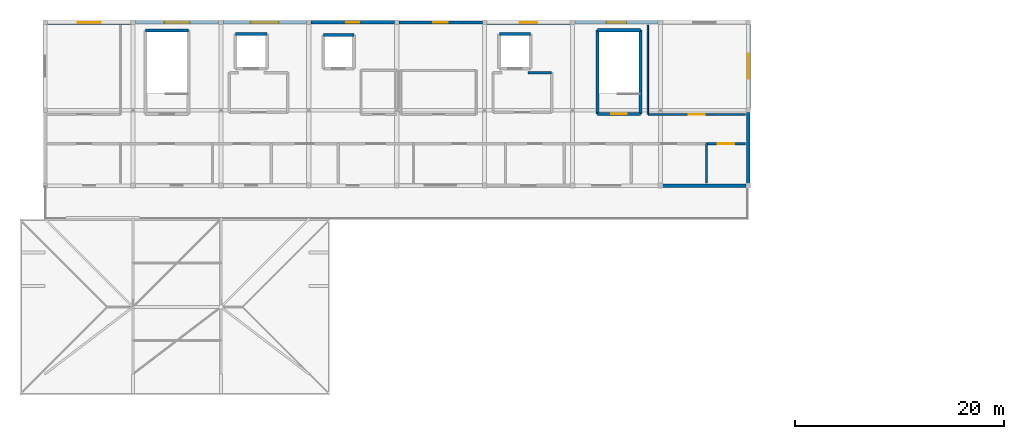
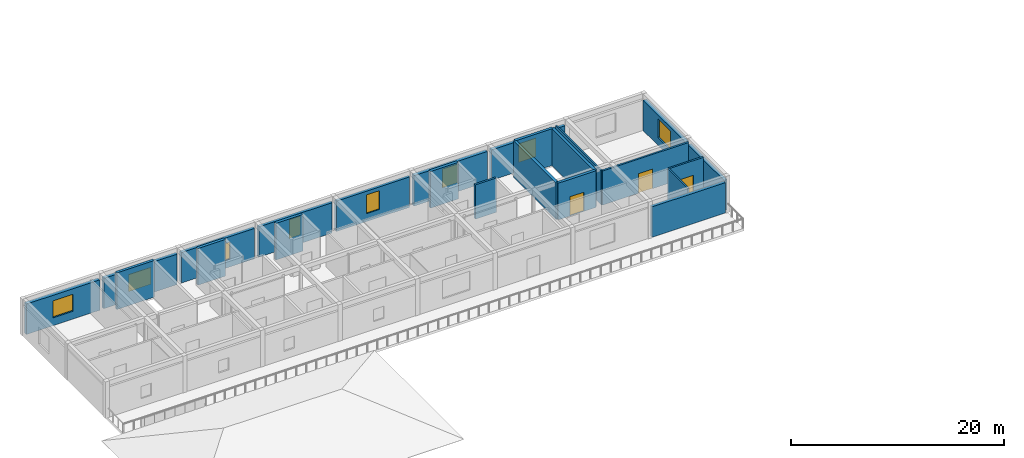
# One storey, part 16 of 22: 23 walls, 8 windows, 3 doors, 11 openings.
"""IFC4 building model written with IfcOpenShell, lengths in metres."""

from ifc_helpers import new_model, si_unit, direction, frame, frame_2d, origin, place, context, subcontext, project, spatial, rectangle, extrude, material, layer, layer_set, type_object, element, fill, save


model = new_model("IFC4")

# Units and contexts
model_context = context("Model", 3, precision=1e-05, world=origin(), true_north=direction((0.0, 1.0)))
body_context = subcontext(model_context, "Body", "Model", "MODEL_VIEW")
ifc_project = project(units=[si_unit("LENGTHUNIT", "METRE"), si_unit("AREAUNIT", "SQUARE_METRE"), si_unit("VOLUMEUNIT", "CUBIC_METRE"), si_unit("PLANEANGLEUNIT", "RADIAN"), si_unit("MASSUNIT", "GRAM", prefix="KILO")], contexts=[model_context])

# Site, building, storey
site_placement = place(None, origin())
site = spatial("IfcSite", under=ifc_project, at=site_placement, CompositionType="ELEMENT")
building_placement = place(site_placement, origin())
building = spatial("IfcBuilding", under=site, at=building_placement, Name="Varncliffe General Hospital", CompositionType="ELEMENT")
storey_placement = place(building_placement, frame((0.0, 0.0, 33.0)))
storey = spatial("IfcBuildingStorey", under=building, at=storey_placement, Name="L07", CompositionType="ELEMENT", Elevation=33.0)

# Wall, opening, window
ifc_material_1 = material(Name="Precast concrete C40/50 with insulated cream lime-cement stucco", Category="concrete")
ifc_layer_1 = layer(ifc_material_1, 0.31005859375)
ifc_layer_set_1 = layer_set([ifc_layer_1], Name="Precast concrete C40/50 with insulated cream lime-cement stucco")
wall_type_1 = type_object("IfcWallType", Name="Exterior Insulated Stucco Wall EW20 (310mm)", PredefinedType="SOLIDWALL", material=ifc_layer_set_1)
wall_1_placement = place(storey_placement, frame((25.423095703125, 124.800048828125, 0.0), z_axis=(0.0, 0.0, 1.0), x_axis=(1.0, 0.0, 0.0)))
wall_1 = element("IfcWall", 1, at=wall_1_placement, inside=storey, type_object=wall_type_1, Name="L07 Exterior Stucco Wall EW20-542", PredefinedType="SOLIDWALL", context=body_context, shape_type="SweptSolid", body=[
    extrude(rectangle(XDim=7.953857421875, YDim=0.31005859375, at=frame_2d((3.97705078125, 0.0))), origin(), (0.0, 0.0, 1.0), 3.47998046875),
])
opening_1_placement = place(wall_1_placement, frame((3.376953125, 0.0, 0.89990234375)))
opening_1 = element("IfcOpeningElement", 2, at=opening_1_placement, cuts=wall_1, Name="Opening WN36", PredefinedType="OPENING", context=body_context, shape_type="SweptSolid", body=[
    extrude(rectangle(XDim=1.199951171875, YDim=2.14990234375, at=frame_2d((0.60009765625, 1.074951171875))), frame((0.0, 0.1650390625, 0.0), z_axis=(0.0, -1.0, 0.0), x_axis=(1.0, 0.0, 0.0)), (0.0, 0.0, 1.0), 0.330078125),
])
ifc_material_2 = material(Name="Triple low-E argon insulated vision glazing", Category="glass")
window_type_1 = type_object("IfcWindowType", Name="Triple-Glazed Hospital Window WN36 (1200x2150)", PartitioningType="SINGLE_PANEL", PredefinedType="WINDOW", material=ifc_material_2)
window_1_placement = place(opening_1_placement, origin())
window_1 = element("IfcWindow", 3, at=window_1_placement, inside=storey, type_object=window_type_1, Name="L07 Hospital Window WN36-429", OverallHeight=2.14990234375, OverallWidth=1.199951171875, PartitioningType="SINGLE_PANEL", PredefinedType="WINDOW", context=body_context, shape_type="SweptSolid", body=[
    extrude(rectangle(XDim=1.199951171875, YDim=2.14990234375, at=frame_2d((0.60009765625, 1.074951171875))), frame((0.0, 0.030029296875, 0.0), z_axis=(0.0, -1.0, 0.0), x_axis=(1.0, 0.0, 0.0)), (0.0, 0.0, 1.0), 0.06005859375),
])
fill(opening_1, window_1)

ifc_layer_2 = layer(ifc_material_1, 0.3798828125)
ifc_layer_set_2 = layer_set([ifc_layer_2], Name="Precast concrete C40/50 with insulated cream lime-cement stucco")
wall_type_2 = type_object("IfcWallType", Name="Exterior Insulated Stucco Wall EW26 (380mm)", PredefinedType="SOLIDWALL", material=ifc_layer_set_2)
wall_2_placement = place(storey_placement, frame((0.222900390625, 124.800048828125, 0.0), z_axis=(0.0, 0.0, 1.0), x_axis=(1.0, 0.0, 0.0)))
wall_2 = element("IfcWall", 4, at=wall_2_placement, inside=storey, type_object=wall_type_2, Name="L07 Exterior Stucco Wall EW26-539", PredefinedType="SOLIDWALL", context=body_context, shape_type="SweptSolid", body=[
    extrude(rectangle(XDim=7.9541015625, YDim=0.3798828125, at=frame_2d((3.97705078125, 0.0))), origin(), (0.0, 0.0, 1.0), 3.47998046875),
])
opening_2_placement = place(wall_2_placement, frame((2.876953125, 0.0, 0.89990234375)))
opening_2 = element("IfcOpeningElement", 5, at=opening_2_placement, cuts=wall_2, Name="Opening WN35", PredefinedType="OPENING", context=body_context, shape_type="SweptSolid", body=[
    extrude(rectangle(XDim=2.199951171875, YDim=1.949951171875, at=frame_2d((1.10009765625, 0.97509765625))), frame((0.0, 0.199951171875, 0.0), z_axis=(0.0, -1.0, 0.0), x_axis=(1.0, 0.0, 0.0)), (0.0, 0.0, 1.0), 0.39990234375),
])
window_type_2 = type_object("IfcWindowType", Name="Triple-Glazed Hospital Window WN35 (2200x1950)", PartitioningType="DOUBLE_PANEL_VERTICAL", PredefinedType="WINDOW", material=ifc_material_2)
window_2_placement = place(opening_2_placement, origin())
window_2 = element("IfcWindow", 6, at=window_2_placement, inside=storey, type_object=window_type_2, Name="L07 Hospital Window WN35-426", OverallHeight=1.949951171875, OverallWidth=2.199951171875, PartitioningType="DOUBLE_PANEL_VERTICAL", PredefinedType="WINDOW", context=body_context, shape_type="SweptSolid", body=[
    extrude(rectangle(XDim=2.199951171875, YDim=1.949951171875, at=frame_2d((1.10009765625, 0.97509765625))), frame((0.0, 0.030029296875, 0.0), z_axis=(0.0, -1.0, 0.0), x_axis=(1.0, 0.0, 0.0)), (0.0, 0.0, 1.0), 0.06005859375),
])
fill(opening_2, window_2)

wall_3_placement = place(storey_placement, frame((42.222900390625, 124.800048828125, 0.0), z_axis=(0.0, 0.0, 1.0), x_axis=(1.0, 0.0, 0.0)))
wall_3 = element("IfcWall", 7, at=wall_3_placement, inside=storey, type_object=wall_type_2, Name="L07 Exterior Stucco Wall EW26-544", PredefinedType="SOLIDWALL", context=body_context, shape_type="SweptSolid", body=[
    extrude(rectangle(XDim=7.9541015625, YDim=0.3798828125, at=frame_2d((3.97705078125, 0.0))), origin(), (0.0, 0.0, 1.0), 3.47998046875),
])
opening_3_placement = place(wall_3_placement, frame((3.152099609375, 0.0, 0.89990234375)))
opening_3 = element("IfcOpeningElement", 8, at=opening_3_placement, cuts=wall_3, Name="Opening WN42", PredefinedType="OPENING", context=body_context, shape_type="SweptSolid", body=[
    extrude(rectangle(XDim=1.64990234375, YDim=2.14990234375, at=frame_2d((0.824951171875, 1.074951171875))), frame((0.0, 0.199951171875, 0.0), z_axis=(0.0, -1.0, 0.0), x_axis=(1.0, 0.0, 0.0)), (0.0, 0.0, 1.0), 0.39990234375),
])
window_type_3 = type_object("IfcWindowType", Name="Triple-Glazed Hospital Window WN42 (1650x2150)", PartitioningType="DOUBLE_PANEL_VERTICAL", PredefinedType="WINDOW", material=ifc_material_2)
window_3_placement = place(opening_3_placement, origin())
window_3 = element("IfcWindow", 9, at=window_3_placement, inside=storey, type_object=window_type_3, Name="L07 Hospital Window WN42-431", OverallHeight=2.14990234375, OverallWidth=1.64990234375, PartitioningType="DOUBLE_PANEL_VERTICAL", PredefinedType="WINDOW", context=body_context, shape_type="SweptSolid", body=[
    extrude(rectangle(XDim=1.64990234375, YDim=2.14990234375, at=frame_2d((0.824951171875, 1.074951171875))), frame((0.0, 0.030029296875, 0.0), z_axis=(0.0, -1.0, 0.0), x_axis=(1.0, 0.0, 0.0)), (0.0, 0.0, 1.0), 0.06005859375),
])
fill(opening_3, window_3)

wall_4_placement = place(storey_placement, frame((67.199951171875, 124.576904296875, 0.0), z_axis=(0.0, 0.0, 1.0), x_axis=(0.0, -1.0, 0.0)))
wall_4 = element("IfcWall", 10, at=wall_4_placement, inside=storey, type_object=wall_type_2, Name="L07 Exterior Stucco Wall EW26-547", PredefinedType="SOLIDWALL", context=body_context, shape_type="SweptSolid", body=[
    extrude(rectangle(XDim=7.953857421875, YDim=0.3798828125, at=frame_2d((3.97705078125, 0.0))), origin(), (0.0, 0.0, 1.0), 3.47998046875),
])
opening_4_placement = place(wall_4_placement, frame((2.777099609375, 0.0, 0.89990234375)))
opening_4 = element("IfcOpeningElement", 11, at=opening_4_placement, cuts=wall_4, Name="Opening WN61", PredefinedType="OPENING", context=body_context, shape_type="SweptSolid", body=[
    extrude(rectangle(XDim=2.39990234375, YDim=2.14990234375, at=frame_2d((1.199951171875, 1.074951171875))), frame((0.0, 0.199951171875, 0.0), z_axis=(0.0, -1.0, 0.0), x_axis=(1.0, 0.0, 0.0)), (0.0, 0.0, 1.0), 0.39990234375),
])
window_type_4 = type_object("IfcWindowType", Name="Triple-Glazed Hospital Window WN61 (2400x2150)", PartitioningType="DOUBLE_PANEL_VERTICAL", PredefinedType="WINDOW", material=ifc_material_2)
window_4_placement = place(opening_4_placement, origin())
window_4 = element("IfcWindow", 12, at=window_4_placement, inside=storey, type_object=window_type_4, Name="L07 Hospital Window WN61-434", OverallHeight=2.14990234375, OverallWidth=2.39990234375, PartitioningType="DOUBLE_PANEL_VERTICAL", PredefinedType="WINDOW", context=body_context, shape_type="SweptSolid", body=[
    extrude(rectangle(XDim=2.39990234375, YDim=2.14990234375, at=frame_2d((1.199951171875, 1.074951171875))), frame((0.0, 0.030029296875, 0.0), z_axis=(0.0, -1.0, 0.0), x_axis=(1.0, 0.0, 0.0)), (0.0, 0.0, 1.0), 0.06005859375),
])
fill(opening_4, window_4)

ifc_layer_3 = layer(ifc_material_1, 0.2900390625)
ifc_layer_set_3 = layer_set([ifc_layer_3], Name="Precast concrete C40/50 with insulated cream lime-cement stucco")
wall_type_3 = type_object("IfcWallType", Name="Exterior Insulated Stucco Wall EW31 (290mm)", PredefinedType="SOLIDWALL", material=ifc_layer_set_3)
wall_5_placement = place(storey_placement, frame((33.822998046875, 124.800048828125, 0.0), z_axis=(0.0, 0.0, 1.0), x_axis=(1.0, 0.0, 0.0)))
wall_5 = element("IfcWall", 13, at=wall_5_placement, inside=storey, type_object=wall_type_3, Name="L07 Exterior Stucco Wall EW31-543", PredefinedType="SOLIDWALL", context=body_context, shape_type="SweptSolid", body=[
    extrude(rectangle(XDim=7.9541015625, YDim=0.2900390625, at=frame_2d((3.97705078125, 0.0))), origin(), (0.0, 0.0, 1.0), 3.47998046875),
])
opening_5_placement = place(wall_5_placement, frame((3.277099609375, 0.0, 0.89990234375)))
opening_5 = element("IfcOpeningElement", 14, at=opening_5_placement, cuts=wall_5, Name="Opening WN11", PredefinedType="OPENING", context=body_context, shape_type="SweptSolid", body=[
    extrude(rectangle(XDim=1.39990234375, YDim=2.14990234375, at=frame_2d((0.699951171875, 1.074951171875))), frame((0.0, 0.155029296875, 0.0), z_axis=(0.0, -1.0, 0.0), x_axis=(1.0, 0.0, 0.0)), (0.0, 0.0, 1.0), 0.31005859375),
])
window_type_5 = type_object("IfcWindowType", Name="Triple-Glazed Hospital Window WN11 (1400x2150)", PartitioningType="SINGLE_PANEL", PredefinedType="WINDOW", material=ifc_material_2)
window_5_placement = place(opening_5_placement, origin())
window_5 = element("IfcWindow", 15, at=window_5_placement, inside=storey, type_object=window_type_5, Name="L07 Hospital Window WN11-430", OverallHeight=2.14990234375, OverallWidth=1.39990234375, PartitioningType="SINGLE_PANEL", PredefinedType="WINDOW", context=body_context, shape_type="SweptSolid", body=[
    extrude(rectangle(XDim=1.39990234375, YDim=2.14990234375, at=frame_2d((0.699951171875, 1.074951171875))), frame((0.0, 0.030029296875, 0.0), z_axis=(0.0, -1.0, 0.0), x_axis=(1.0, 0.0, 0.0)), (0.0, 0.0, 1.0), 0.06005859375),
])
fill(opening_5, window_5)

ifc_layer_4 = layer(ifc_material_1, 0.330078125)
ifc_layer_set_4 = layer_set([ifc_layer_4], Name="Precast concrete C40/50 with insulated cream lime-cement stucco")
wall_type_4 = type_object("IfcWallType", Name="Exterior Insulated Stucco Wall EW33 (330mm)", PredefinedType="SOLIDWALL", material=ifc_layer_set_4)
wall_6_placement = place(storey_placement, frame((17.02294921875, 124.800048828125, 0.0), z_axis=(0.0, 0.0, 1.0), x_axis=(1.0, 0.0, 0.0)))
wall_6 = element("IfcWall", 16, at=wall_6_placement, inside=storey, type_object=wall_type_4, Name="L07 Exterior Stucco Wall EW33-541", PredefinedType="SOLIDWALL", context=body_context, shape_type="SweptSolid", body=[
    extrude(rectangle(XDim=7.9541015625, YDim=0.330078125, at=frame_2d((3.97705078125, 0.0))), origin(), (0.0, 0.0, 1.0), 3.47998046875),
])
opening_6_placement = place(wall_6_placement, frame((2.652099609375, 0.0, 0.89990234375)))
opening_6 = element("IfcOpeningElement", 17, at=opening_6_placement, cuts=wall_6, Name="Opening WN30", PredefinedType="OPENING", context=body_context, shape_type="SweptSolid", body=[
    extrude(rectangle(XDim=2.64990234375, YDim=1.949951171875, at=frame_2d((1.324951171875, 0.97509765625))), frame((0.0, 0.175048828125, 0.0), z_axis=(0.0, -1.0, 0.0), x_axis=(1.0, 0.0, 0.0)), (0.0, 0.0, 1.0), 0.35009765625),
])
window_type_6 = type_object("IfcWindowType", Name="Triple-Glazed Hospital Window WN30 (2650x1950)", PartitioningType="DOUBLE_PANEL_VERTICAL", PredefinedType="WINDOW", material=ifc_material_2)
window_6_placement = place(opening_6_placement, origin())
window_6 = element("IfcWindow", 18, at=window_6_placement, inside=storey, type_object=window_type_6, Name="L07 Hospital Window WN30-428", OverallHeight=1.949951171875, OverallWidth=2.64990234375, PartitioningType="DOUBLE_PANEL_VERTICAL", PredefinedType="WINDOW", context=body_context, shape_type="SweptSolid", body=[
    extrude(rectangle(XDim=2.64990234375, YDim=1.949951171875, at=frame_2d((1.324951171875, 0.97509765625))), frame((0.0, 0.030029296875, 0.0), z_axis=(0.0, -1.0, 0.0), x_axis=(1.0, 0.0, 0.0)), (0.0, 0.0, 1.0), 0.06005859375),
])
fill(opening_6, window_6)

# Wall
wall_7_placement = place(storey_placement, frame((66.97705078125, 109.199951171875, 0.0), z_axis=(0.0, 0.0, 1.0), x_axis=(-1.0, 0.0, 0.0)))
element("IfcWall", 19, at=wall_7_placement, inside=storey, type_object=wall_type_4, Name="L07 Exterior Stucco Wall EW33-549", PredefinedType="SOLIDWALL", context=body_context, shape_type="SweptSolid", body=[
    extrude(rectangle(XDim=7.9541015625, YDim=0.330078125, at=frame_2d((3.97705078125, 0.0))), origin(), (0.0, 0.0, 1.0), 3.47998046875),
])

# Wall, opening, window
ifc_layer_5 = layer(ifc_material_1, 0.35009765625)
ifc_layer_set_5 = layer_set([ifc_layer_5], Name="Precast concrete C40/50 with insulated cream lime-cement stucco")
wall_type_5 = type_object("IfcWallType", Name="Exterior Insulated Stucco Wall EW37 (350mm)", PredefinedType="SOLIDWALL", material=ifc_layer_set_5)
wall_8_placement = place(storey_placement, frame((8.623046875, 124.800048828125, 0.0), z_axis=(0.0, 0.0, 1.0), x_axis=(1.0, 0.0, 0.0)))
wall_8 = element("IfcWall", 20, at=wall_8_placement, inside=storey, type_object=wall_type_5, Name="L07 Exterior Stucco Wall EW37-540", PredefinedType="SOLIDWALL", context=body_context, shape_type="SweptSolid", body=[
    extrude(rectangle(XDim=7.953857421875, YDim=0.35009765625, at=frame_2d((3.97705078125, 0.0))), origin(), (0.0, 0.0, 1.0), 3.47998046875),
])
opening_7_placement = place(wall_8_placement, frame((2.777099609375, 0.0, 0.89990234375)))
opening_7 = element("IfcOpeningElement", 21, at=opening_7_placement, cuts=wall_8, Name="Opening WN16", PredefinedType="OPENING", context=body_context, shape_type="SweptSolid", body=[
    extrude(rectangle(XDim=2.39990234375, YDim=1.949951171875, at=frame_2d((1.199951171875, 0.97509765625))), frame((0.0, 0.18505859375, 0.0), z_axis=(0.0, -1.0, 0.0), x_axis=(1.0, 0.0, 0.0)), (0.0, 0.0, 1.0), 0.3701171875),
])
window_type_7 = type_object("IfcWindowType", Name="Triple-Glazed Hospital Window WN16 (2400x1950)", PartitioningType="DOUBLE_PANEL_VERTICAL", PredefinedType="WINDOW", material=ifc_material_2)
window_7_placement = place(opening_7_placement, origin())
window_7 = element("IfcWindow", 22, at=window_7_placement, inside=storey, type_object=window_type_7, Name="L07 Hospital Window WN16-427", OverallHeight=1.949951171875, OverallWidth=2.39990234375, PartitioningType="DOUBLE_PANEL_VERTICAL", PredefinedType="WINDOW", context=body_context, shape_type="SweptSolid", body=[
    extrude(rectangle(XDim=2.39990234375, YDim=1.949951171875, at=frame_2d((1.199951171875, 0.97509765625))), frame((0.0, 0.030029296875, 0.0), z_axis=(0.0, -1.0, 0.0), x_axis=(1.0, 0.0, 0.0)), (0.0, 0.0, 1.0), 0.06005859375),
])
fill(opening_7, window_7)

wall_9_placement = place(storey_placement, frame((50.623046875, 124.800048828125, 0.0), z_axis=(0.0, 0.0, 1.0), x_axis=(1.0, 0.0, 0.0)))
wall_9 = element("IfcWall", 23, at=wall_9_placement, inside=storey, type_object=wall_type_5, Name="L07 Exterior Stucco Wall EW37-545", PredefinedType="SOLIDWALL", context=body_context, shape_type="SweptSolid", body=[
    extrude(rectangle(XDim=7.953857421875, YDim=0.35009765625, at=frame_2d((3.97705078125, 0.0))), origin(), (0.0, 0.0, 1.0), 3.47998046875),
])
opening_8_placement = place(wall_9_placement, frame((3.027099609375, 0.0, 0.89990234375)))
opening_8 = element("IfcOpeningElement", 24, at=opening_8_placement, cuts=wall_9, Name="Opening WN15", PredefinedType="OPENING", context=body_context, shape_type="SweptSolid", body=[
    extrude(rectangle(XDim=1.89990234375, YDim=2.14990234375, at=frame_2d((0.949951171875, 1.074951171875))), frame((0.0, 0.18505859375, 0.0), z_axis=(0.0, -1.0, 0.0), x_axis=(1.0, 0.0, 0.0)), (0.0, 0.0, 1.0), 0.3701171875),
])
window_type_8 = type_object("IfcWindowType", Name="Triple-Glazed Hospital Window WN15 (1900x2150)", PartitioningType="DOUBLE_PANEL_VERTICAL", PredefinedType="WINDOW", material=ifc_material_2)
window_8_placement = place(opening_8_placement, origin())
window_8 = element("IfcWindow", 25, at=window_8_placement, inside=storey, type_object=window_type_8, Name="L07 Hospital Window WN15-432", OverallHeight=2.14990234375, OverallWidth=1.89990234375, PartitioningType="DOUBLE_PANEL_VERTICAL", PredefinedType="WINDOW", context=body_context, shape_type="SweptSolid", body=[
    extrude(rectangle(XDim=1.89990234375, YDim=2.14990234375, at=frame_2d((0.949951171875, 1.074951171875))), frame((0.0, 0.030029296875, 0.0), z_axis=(0.0, -1.0, 0.0), x_axis=(1.0, 0.0, 0.0)), (0.0, 0.0, 1.0), 0.06005859375),
])
fill(opening_8, window_8)

# Walls
wall_10_placement = place(storey_placement, frame((67.199951171875, 116.177001953125, 0.0), z_axis=(0.0, 0.0, 1.0), x_axis=(0.0, -1.0, 0.0)))
element("IfcWall", 26, at=wall_10_placement, inside=storey, type_object=wall_type_5, Name="L07 Exterior Stucco Wall EW37-548", PredefinedType="SOLIDWALL", context=body_context, shape_type="SweptSolid", body=[
    extrude(rectangle(XDim=6.75390625, YDim=0.35009765625, at=frame_2d((3.376953125, 0.0))), origin(), (0.0, 0.0, 1.0), 3.47998046875),
])
ifc_material_3 = material(Name="Acoustic clinical gypsum stud partition assembly", Category="gypsum")
ifc_layer_6 = layer(ifc_material_3, 0.169921875)
ifc_layer_set_6 = layer_set([ifc_layer_6], Name="Acoustic clinical gypsum stud partition assembly")
wall_type_6 = type_object("IfcWallType", Name="Interior Partitioning IW20 (170mm)", PredefinedType="PARTITIONING", material=ifc_layer_set_6)
wall_11_placement = place(storey_placement, frame((63.199951171875, 109.4599609375, 0.0), z_axis=(0.0, 0.0, 1.0), x_axis=(0.0, 1.0, 0.0)))
element("IfcWall", 27, at=wall_11_placement, inside=storey, type_object=wall_type_6, Name="L07 Interior Partition Wall IW20-2390", PredefinedType="PARTITIONING", context=body_context, shape_type="SweptSolid", body=[
    extrude(rectangle(XDim=3.739990234375, YDim=0.169921875, at=frame_2d((1.8701171875, 0.0))), origin(), (0.0, 0.0, 1.0), 3.919921875),
])
ifc_layer_7 = layer(ifc_material_3, 0.14990234375)
ifc_layer_set_7 = layer_set([ifc_layer_7], Name="Acoustic clinical gypsum stud partition assembly")
wall_type_7 = type_object("IfcWallType", Name="Interior Partitioning IW35 (150mm)", PredefinedType="PARTITIONING", material=ifc_layer_set_7)
wall_12_placement = place(storey_placement, frame((57.60009765625, 116.0, 0.0), z_axis=(0.0, 0.0, 1.0), x_axis=(0.0, 1.0, 0.0)))
element("IfcWall", 28, at=wall_12_placement, inside=storey, type_object=wall_type_7, Name="L07 Interior Partition Wall IW35-2389", PredefinedType="PARTITIONING", context=body_context, shape_type="SweptSolid", body=[
    extrude(rectangle(XDim=8.5400390625, YDim=0.14990234375, at=frame_2d((4.27001953125, 0.0))), origin(), (0.0, 0.0, 1.0), 3.919921875),
])
ifc_material_4 = material(Name="Fire-rated gypsum and mineral-wool partition assembly", Category="gypsum")
ifc_layer_8 = layer(ifc_material_4, 0.22998046875)
ifc_layer_set_8 = layer_set([ifc_layer_8], Name="Fire-rated gypsum and mineral-wool partition assembly")
wall_type_8 = type_object("IfcWallType", Name="Interior Partitioning PW48 (230mm)", PredefinedType="PARTITIONING", material=ifc_layer_set_8)
wall_13_placement = place(storey_placement, frame((46.135986328125, 120.0, 0.0), z_axis=(0.0, 0.0, 1.0), x_axis=(1.0, 0.0, 0.0)))
element("IfcWall", 29, at=wall_13_placement, inside=storey, type_object=wall_type_8, Name="L07 Interior Partition Wall PW48-2364", PredefinedType="PARTITIONING", context=body_context, shape_type="SweptSolid", body=[
    extrude(rectangle(XDim=2.263916015625, YDim=0.22998046875, at=frame_2d((1.1318359375, 0.0))), origin(), (0.0, 0.0, 1.0), 3.919921875),
])

# Wall, opening, door
ifc_layer_9 = layer(ifc_material_4, 0.199951171875)
ifc_layer_set_9 = layer_set([ifc_layer_9], Name="Fire-rated gypsum and mineral-wool partition assembly")
wall_type_9 = type_object("IfcWallType", Name="Interior Partitioning PW63 (200mm)", PredefinedType="PARTITIONING", material=ifc_layer_set_9)
wall_14_placement = place(storey_placement, frame((63.199951171875, 113.199951171875, 0.0), z_axis=(0.0, 0.0, 1.0), x_axis=(1.0, 0.0, 0.0)))
wall_14 = element("IfcWall", 30, at=wall_14_placement, inside=storey, type_object=wall_type_9, Name="L07 Interior Partition Wall PW63-2338", PredefinedType="PARTITIONING", context=body_context, shape_type="SweptSolid", body=[
    extrude(rectangle(XDim=3.739990234375, YDim=0.199951171875, at=frame_2d((1.8701171875, 0.0))), origin(), (0.0, 0.0, 1.0), 3.919921875),
])
opening_9_placement = place(wall_14_placement, frame((1.094970703125, 0.0, 0.0)))
opening_9 = element("IfcOpeningElement", 31, at=opening_9_placement, cuts=wall_14, Name="Opening DC67", PredefinedType="OPENING", context=body_context, shape_type="SweptSolid", body=[
    extrude(rectangle(XDim=1.550048828125, YDim=2.25, at=frame_2d((0.77490234375, 1.125))), frame((0.0, 0.10986328125, 0.0), z_axis=(0.0, -1.0, 0.0), x_axis=(1.0, 0.0, 0.0)), (0.0, 0.0, 1.0), 0.219970703125),
])
ifc_material_5 = material(Name="Fire-rated hospital steel-frame vision-panel door", Category="steel")
door_type_1 = type_object("IfcDoorType", Name="Interior Hospital Door DC67 (1550x2250)", OperationType="NOTDEFINED", PredefinedType="DOOR", material=ifc_material_5)
door_1_placement = place(opening_9_placement, frame((1.550048828125, 0.0, 0.0), z_axis=(0.0, 0.0, 1.0), x_axis=(-1.0, 0.0, 0.0)))
door_1 = element("IfcDoor", 32, at=door_1_placement, inside=storey, type_object=door_type_1, Name="L07 Patient Healing Solarium 26 Door", OperationType="SINGLE_SWING_RIGHT", OverallHeight=2.25, OverallWidth=1.550048828125, PredefinedType="DOOR", context=body_context, shape_type="SweptSolid", body=[
    extrude(rectangle(XDim=1.550048828125, YDim=2.25, at=frame_2d((0.77490234375, 1.125))), frame((0.0, 0.02490234375, 0.0), z_axis=(0.0, -1.0, 0.0), x_axis=(1.0, 0.0, 0.0)), (0.0, 0.0, 1.0), 0.050048828125),
])
fill(opening_9, door_1)

wall_15_placement = place(storey_placement, frame((57.60009765625, 116.0, 0.0), z_axis=(0.0, 0.0, 1.0), x_axis=(1.0, 0.0, 0.0)))
wall_15 = element("IfcWall", 33, at=wall_15_placement, inside=storey, type_object=wall_type_9, Name="L07 Interior Partition Wall PW63-2352", PredefinedType="PARTITIONING", context=body_context, shape_type="SweptSolid", body=[
    extrude(rectangle(XDim=9.33984375, YDim=0.199951171875, at=frame_2d((4.669921875, 0.0))), origin(), (0.0, 0.0, 1.0), 3.919921875),
])
opening_10_placement = place(wall_15_placement, frame((3.89501953125, 0.0, 0.0)))
opening_10 = element("IfcOpeningElement", 34, at=opening_10_placement, cuts=wall_15, Name="Opening DC67", PredefinedType="OPENING", context=body_context, shape_type="SweptSolid", body=[
    extrude(rectangle(XDim=1.550048828125, YDim=2.25, at=frame_2d((0.77490234375, 1.125))), frame((0.0, 0.10986328125, 0.0), z_axis=(0.0, -1.0, 0.0), x_axis=(1.0, 0.0, 0.0)), (0.0, 0.0, 1.0), 0.219970703125),
])
door_2_placement = place(opening_10_placement, origin())
door_2 = element("IfcDoor", 35, at=door_2_placement, inside=storey, type_object=door_type_1, Name="L07 Patient Healing Solarium 38 Door", OperationType="SINGLE_SWING_RIGHT", OverallHeight=2.25, OverallWidth=1.550048828125, PredefinedType="DOOR", context=body_context, shape_type="SweptSolid", body=[
    extrude(rectangle(XDim=1.550048828125, YDim=2.25, at=frame_2d((0.77490234375, 1.125))), frame((0.0, 0.02490234375, 0.0), z_axis=(0.0, -1.0, 0.0), x_axis=(1.0, 0.0, 0.0)), (0.0, 0.0, 1.0), 0.050048828125),
])
fill(opening_10, door_2)

# Walls
ifc_material_6 = material(Name="Concrete C40/50 (CSA A23.1 40 MPa)", Category="concrete")
ifc_layer_10 = layer(ifc_material_6, 0.300048828125)
ifc_layer_set_10 = layer_set([ifc_layer_10], Name="Concrete C40/50 (CSA A23.1 40 MPa)")
wall_type_10 = type_object("IfcWallType", Name="Reinforced Concrete Core Shear Wall CW12 (300mm)", PredefinedType="SHEAR", material=ifc_layer_set_10)
wall_16_placement = place(storey_placement, frame((56.89990234375, 116.050048828125, 0.0), z_axis=(0.0, 0.0, 1.0), x_axis=(0.0, 1.0, 0.0)))
element("IfcWall", 36, at=wall_16_placement, inside=storey, type_object=wall_type_10, Name="L07 ST02 Core Shear Wall L", PredefinedType="SHEAR", context=body_context, shape_type="SweptSolid", body=[
    extrude(rectangle(XDim=8.0, YDim=0.300048828125, at=frame_2d((4.0, 0.0))), origin(), (0.0, 0.0, 1.0), 4.199951171875),
])
wall_17_placement = place(storey_placement, frame((56.89990234375, 124.050048828125, 0.0), z_axis=(0.0, 0.0, 1.0), x_axis=(-1.0, 0.0, 0.0)))
element("IfcWall", 37, at=wall_17_placement, inside=storey, type_object=wall_type_10, Name="L07 ST02 Core Shear Wall F", PredefinedType="SHEAR", context=body_context, shape_type="SweptSolid", body=[
    extrude(rectangle(XDim=4.099853515625, YDim=0.300048828125, at=frame_2d((2.0498046875, 0.0))), origin(), (0.0, 0.0, 1.0), 4.199951171875),
])
wall_18_placement = place(storey_placement, frame((52.800048828125, 124.050048828125, 0.0), z_axis=(0.0, 0.0, 1.0), x_axis=(0.0, -1.0, 0.0)))
element("IfcWall", 38, at=wall_18_placement, inside=storey, type_object=wall_type_10, Name="L07 ST02 Core Shear Wall R", PredefinedType="SHEAR", context=body_context, shape_type="SweptSolid", body=[
    extrude(rectangle(XDim=8.0, YDim=0.300048828125, at=frame_2d((4.0, 0.0))), origin(), (0.0, 0.0, 1.0), 4.199951171875),
])

# Wall, opening, door
wall_19_placement = place(storey_placement, frame((52.800048828125, 116.050048828125, 0.0), z_axis=(0.0, 0.0, 1.0), x_axis=(1.0, 0.0, 0.0)))
wall_19 = element("IfcWall", 39, at=wall_19_placement, inside=storey, type_object=wall_type_10, Name="L07 ST02 Core Shear Wall N", PredefinedType="SHEAR", context=body_context, shape_type="SweptSolid", body=[
    extrude(rectangle(XDim=4.099853515625, YDim=0.300048828125, at=frame_2d((2.0498046875, 0.0))), origin(), (0.0, 0.0, 1.0), 4.199951171875),
])
opening_11_placement = place(wall_19_placement, frame((1.300048828125, 0.0, 0.0)))
opening_11 = element("IfcOpeningElement", 40, at=opening_11_placement, cuts=wall_19, Name="Opening DF28", PredefinedType="OPENING", context=body_context, shape_type="SweptSolid", body=[
    extrude(rectangle(XDim=1.5, YDim=2.199951171875, at=frame_2d((0.75, 1.10009765625))), frame((0.0, 0.16015625, 0.0), z_axis=(0.0, -1.0, 0.0), x_axis=(1.0, 0.0, 0.0)), (0.0, 0.0, 1.0), 0.320068359375),
])
door_type_2 = type_object("IfcDoorType", Name="Interior Hospital Door DF28 (1500x2200)", OperationType="NOTDEFINED", PredefinedType="DOOR", material=ifc_material_5)
door_3_placement = place(opening_11_placement, frame((1.5, 0.0, 0.0), z_axis=(0.0, 0.0, 1.0), x_axis=(-1.0, 0.0, 0.0)))
door_3 = element("IfcDoor", 41, at=door_3_placement, inside=storey, type_object=door_type_2, Name="L07 ST02 Protected Exit Stair Door", OperationType="SINGLE_SWING_RIGHT", OverallHeight=2.199951171875, OverallWidth=1.5, PredefinedType="DOOR", context=body_context, shape_type="SweptSolid", body=[
    extrude(rectangle(XDim=1.5, YDim=2.199951171875, at=frame_2d((0.75, 1.10009765625))), frame((0.0, 0.02490234375, 0.0), z_axis=(0.0, -1.0, 0.0), x_axis=(1.0, 0.0, 0.0)), (0.0, 0.0, 1.0), 0.050048828125),
])
fill(opening_11, door_3)

# Walls
for number, where, z_axis, x_axis, name in (
    (42, (21.199951171875, 123.699951171875, 0.0), (0.0, 0.0, 1.0), (-1.0, 0.0, 0.0), "L07 LF01 Elevator Shaft Wall North"),
    (43, (46.39990234375, 123.699951171875, 0.0), (0.0, 0.0, 1.0), (-1.0, 0.0, 0.0), "L07 LF02 Elevator Shaft Wall North"),
):
    element("IfcWall", number, at=place(storey_placement, frame(where, z_axis=z_axis, x_axis=x_axis)), inside=storey, type_object=wall_type_10, Name=name, PredefinedType="SHEAR", context=body_context, shape_type="SweptSolid", body=[
        extrude(rectangle(XDim=3.0, YDim=0.300048828125, at=frame_2d((1.5, 0.0))), origin(), (0.0, 0.0, 1.0), 4.199951171875),
    ])
wall_20_placement = place(storey_placement, frame((29.5, 123.60009765625, 0.0), z_axis=(0.0, 0.0, 1.0), x_axis=(-1.0, 0.0, 0.0)))
element("IfcWall", 44, at=wall_20_placement, inside=storey, type_object=wall_type_10, Name="L07 LF04 Elevator Shaft Wall North", PredefinedType="SHEAR", context=body_context, shape_type="SweptSolid", body=[
    extrude(rectangle(XDim=2.89990234375, YDim=0.300048828125, at=frame_2d((1.449951171875, 0.0))), origin(), (0.0, 0.0, 1.0), 4.199951171875),
])
ifc_layer_11 = layer(ifc_material_6, 0.280029296875)
ifc_layer_set_11 = layer_set([ifc_layer_11], Name="Concrete C40/50 (CSA A23.1 40 MPa)")
wall_type_11 = type_object("IfcWallType", Name="Reinforced Concrete Core Shear Wall CW13 (280mm)", PredefinedType="SHEAR", material=ifc_layer_set_11)
wall_21_placement = place(storey_placement, frame((13.68994140625, 124.0400390625, 0.0), z_axis=(0.0, 0.0, 1.0), x_axis=(-1.0, 0.0, 0.0)))
element("IfcWall", 45, at=wall_21_placement, inside=storey, type_object=wall_type_11, Name="L07 ST01 Core Shear Wall F", PredefinedType="SHEAR", context=body_context, shape_type="SweptSolid", body=[
    extrude(rectangle(XDim=4.079833984375, YDim=0.280029296875, at=frame_2d((2.0400390625, 0.0))), origin(), (0.0, 0.0, 1.0), 4.199951171875),
])

save(model, "model.ifc")
